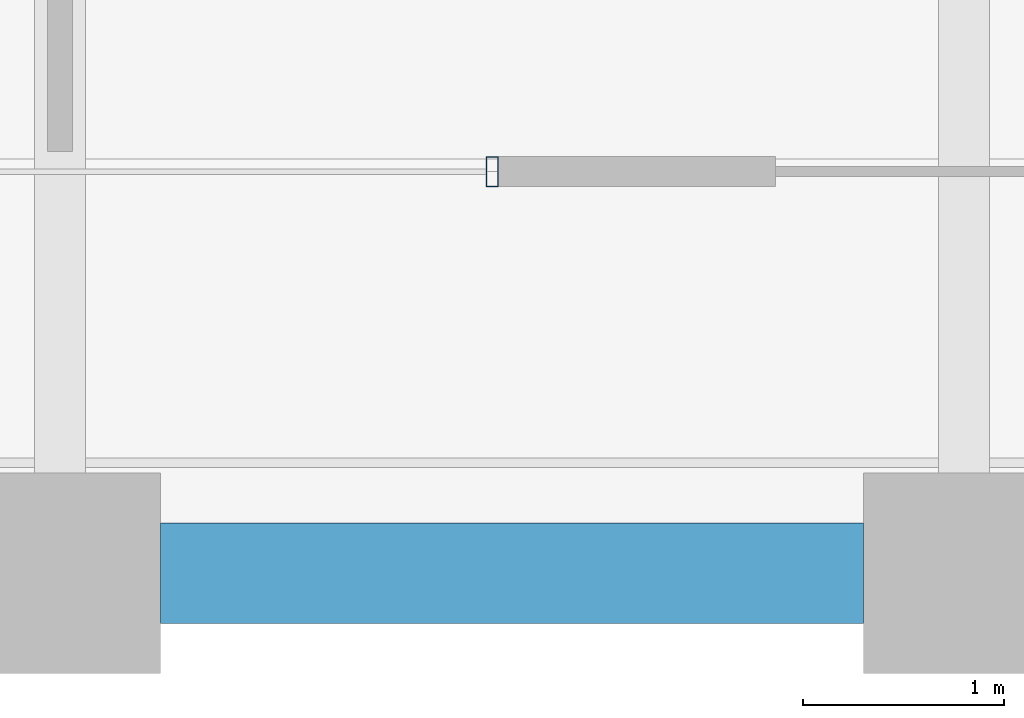
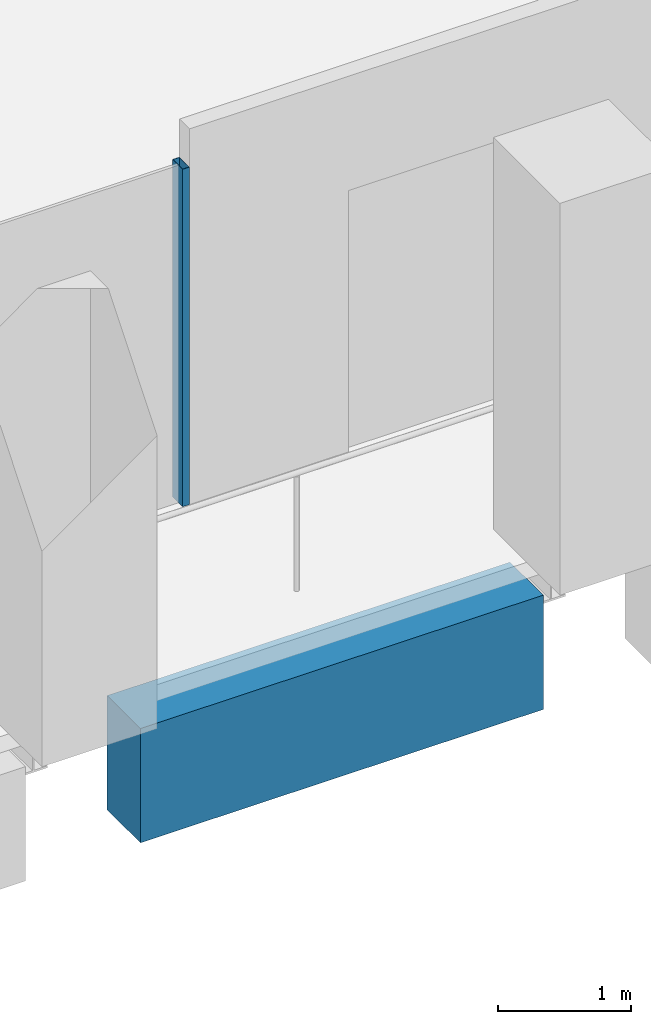
# One storey, part 7 of 47: 1 beam, 1 member, 1 element without a shape of its own.
"""IFC4 building model written with IfcOpenShell, lengths in metres."""

from ifc_helpers import new_model, si_unit, direction, frame, origin, origin_2d, place, context, subcontext, project, spatial, rectangle, hollow_rectangle, extrude, material, material_profile, profile_set, type_object, element, aggregate, save


model = new_model("IFC4")

# Units and contexts
model_context = context("Model", 3, precision=1e-05, world=origin(), true_north=direction((0.0, 1.0)))
body_context = subcontext(model_context, "Body", "Model", "MODEL_VIEW")
ifc_project = project(units=[si_unit("LENGTHUNIT", "METRE"), si_unit("AREAUNIT", "SQUARE_METRE"), si_unit("VOLUMEUNIT", "CUBIC_METRE"), si_unit("PLANEANGLEUNIT", "RADIAN"), si_unit("MASSUNIT", "GRAM", prefix="KILO")], contexts=[model_context])

# Site, building, storey
site_placement = place(None, origin())
site = spatial("IfcSite", under=ifc_project, at=site_placement, CompositionType="ELEMENT")
building_placement = place(site_placement, origin())
building = spatial("IfcBuilding", under=site, at=building_placement, Name="Altepetl Exchange Towers", CompositionType="ELEMENT")
storey_placement = place(building_placement, frame((0.0, 0.0, 95.60009765625)))
storey = spatial("IfcBuildingStorey", under=building, at=storey_placement, Name="L23", CompositionType="ELEMENT", Elevation=95.60009765625)

# Curtain wall, member
ifc_material_1 = material(Name="Aluminium 6063-T6 glazing", Category="aluminium")
curtain_wall_type = type_object("IfcCurtainWallType", Name="Loggia glazing system", PredefinedType="NOTDEFINED", material=ifc_material_1)
curtain_wall_placement = place(storey_placement, origin())
curtain_wall = element("IfcCurtainWall", 1, at=curtain_wall_placement, inside=storey, type_object=curtain_wall_type, Name="CW1 run", PredefinedType="NOTDEFINED")
ifc_material_2 = material(Name="Aluminium 6063-T6", Category="aluminium")
ifc_material_profile_1 = material_profile(ifc_material_2, hollow_rectangle(XDim=0.06005859375, YDim=0.14990234375, WallThickness=0.0029296875, at=origin_2d()), Name="Mullion 60x150 aluminium")
ifc_profile_set_1 = profile_set([ifc_material_profile_1], Name="Aluminium 6063-T6")
member_type = type_object("IfcMemberType", Name="Mullion 60x150 aluminium", PredefinedType="MULLION", material=ifc_profile_set_1)
member_placement = place(storey_placement, frame((47.152099609375, 29.0, 0.0)))
member = element("IfcMember", 2, at=member_placement, type_object=member_type, Name="MU1 mullion", PredefinedType="MULLION", context=body_context, shape_type="SweptSolid", body=[
    extrude(hollow_rectangle(XDim=0.06005859375, YDim=0.14990234375, WallThickness=0.0029296875, at=origin_2d()), origin(), (0.0, 0.0, 1.0), 3.099853515625),
])
aggregate(curtain_wall, [member])

# Beam
ifc_material_3 = material(Name="Concrete C50/60 precast with cantera blanca facing", Category="concrete")
ifc_material_profile_2 = material_profile(ifc_material_3, rectangle(XDim=0.5, YDim=1.050048828125, at=origin_2d()), Name="500 x 1050")
ifc_profile_set_2 = profile_set([ifc_material_profile_2], Name="Concrete C50/60 precast with cantera blanca facing")
beam_type = type_object("IfcBeamType", Name="Spandrel beam 500x1050 cantera blanca", PredefinedType="SPANDREL", material=ifc_profile_set_2)
beam_placement = place(storey_placement, frame((45.5, 27.0, -0.675048828125), z_axis=(1.0, 0.0, 0.0), x_axis=(0.0, 1.0, 0.0)))
element("IfcBeam", 3, at=beam_placement, inside=storey, type_object=beam_type, Name="sp:A:L23:003", PredefinedType="SPANDREL", context=body_context, shape_type="SweptSolid", body=[
    extrude(rectangle(XDim=0.5, YDim=1.050048828125, at=origin_2d()), origin(), (0.0, 0.0, 1.0), 3.5),
])

save(model, "model.ifc")
